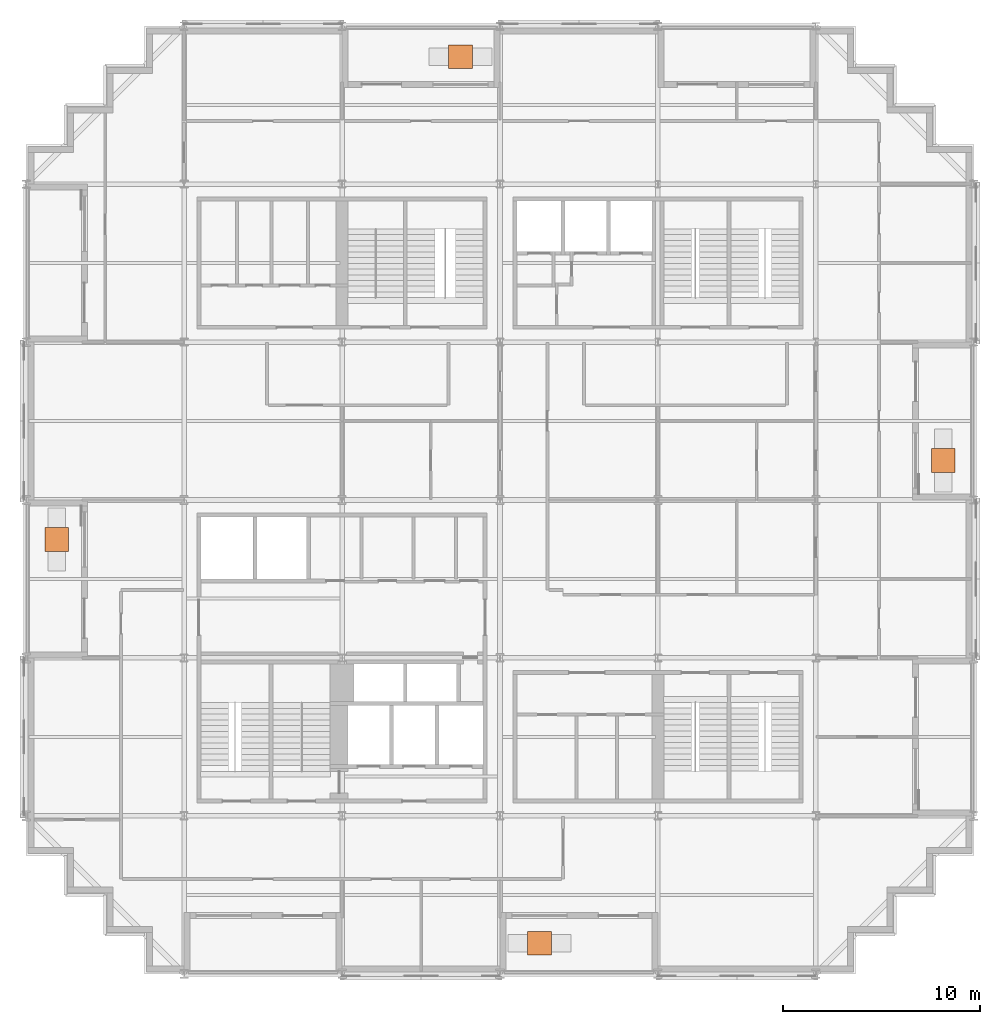
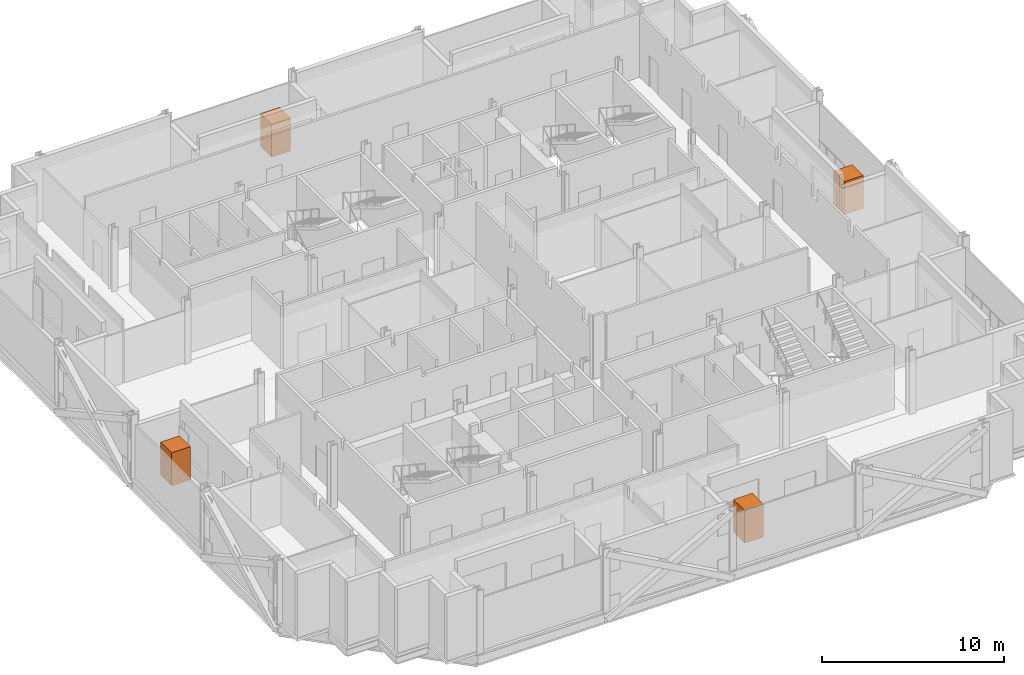
# One storey, part 15 of 15: 4 geographic elements.
"""IFC4 building model written with IfcOpenShell, lengths in metres."""

from ifc_helpers import new_model, si_unit, direction, frame, origin, origin_2d, place, context, subcontext, project, spatial, rectangle, extrude, material, type_object, element, save


model = new_model("IFC4")

# Units and contexts
model_context = context("Model", 3, precision=1e-05, world=origin(), true_north=direction((0.0, 1.0)))
body_context = subcontext(model_context, "Body", "Model", "MODEL_VIEW")
ifc_project = project(units=[si_unit("LENGTHUNIT", "METRE"), si_unit("AREAUNIT", "SQUARE_METRE"), si_unit("VOLUMEUNIT", "CUBIC_METRE"), si_unit("PLANEANGLEUNIT", "RADIAN"), si_unit("MASSUNIT", "GRAM", prefix="KILO")], contexts=[model_context])

# Site, building, storey
site_placement = place(None, origin())
site = spatial("IfcSite", under=ifc_project, at=site_placement, CompositionType="ELEMENT")
building_placement = place(site_placement, origin())
building = spatial("IfcBuilding", under=site, at=building_placement, Name="Immortelle Media Tower", CompositionType="ELEMENT")
storey_placement = place(building_placement, frame((0.0, 0.0, 92.0)))
storey = spatial("IfcBuildingStorey", under=building, at=storey_placement, Name="L17", CompositionType="ELEMENT", Elevation=92.0)

# Geographic elements
ifc_material = material(Name="Tree canopy foliage")
geographic_element_type = type_object("IfcGeographicElementType", Name="Tree", PredefinedType="USERDEFINED", material=ifc_material)
for number, where, z_axis, x_axis, name in (
    (1, (1.550048828125, 22.0, 0.60009765625), (0.0, 0.0, 1.0), (1.0, 0.0, 0.0), "Tree L17 W2"),
    (2, (26.0, 1.550048828125, 0.60009765625), (0.0, 0.0, 1.0), (1.0, 0.0, 0.0), "Tree L17 S2"),
    (3, (46.449951171875, 26.0, 0.60009765625), (0.0, 0.0, 1.0), (1.0, 0.0, 0.0), "Tree L17 E2"),
    (4, (22.0, 46.449951171875, 0.60009765625), (0.0, 0.0, 1.0), (1.0, 0.0, 0.0), "Tree L17 N2"),
):
    element("IfcGeographicElement", number, at=place(storey_placement, frame(where, z_axis=z_axis, x_axis=x_axis)), inside=storey, type_object=geographic_element_type, Name=name, ObjectType="Tree", PredefinedType="USERDEFINED", context=body_context, shape_type="SweptSolid", body=[
        extrude(rectangle(XDim=1.199951171875, YDim=1.199951171875, at=origin_2d()), origin(), (0.0, 0.0, 1.0), 2.199951171875),
    ])

save(model, "model.ifc")
